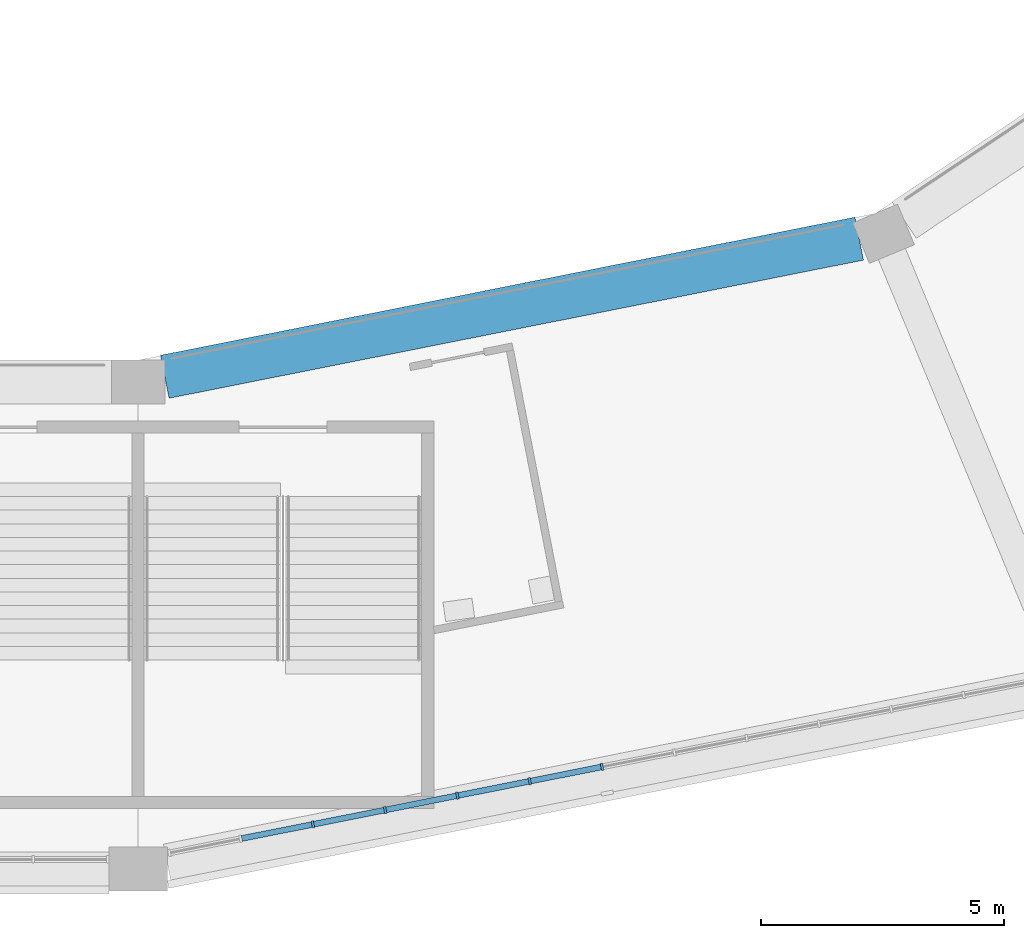
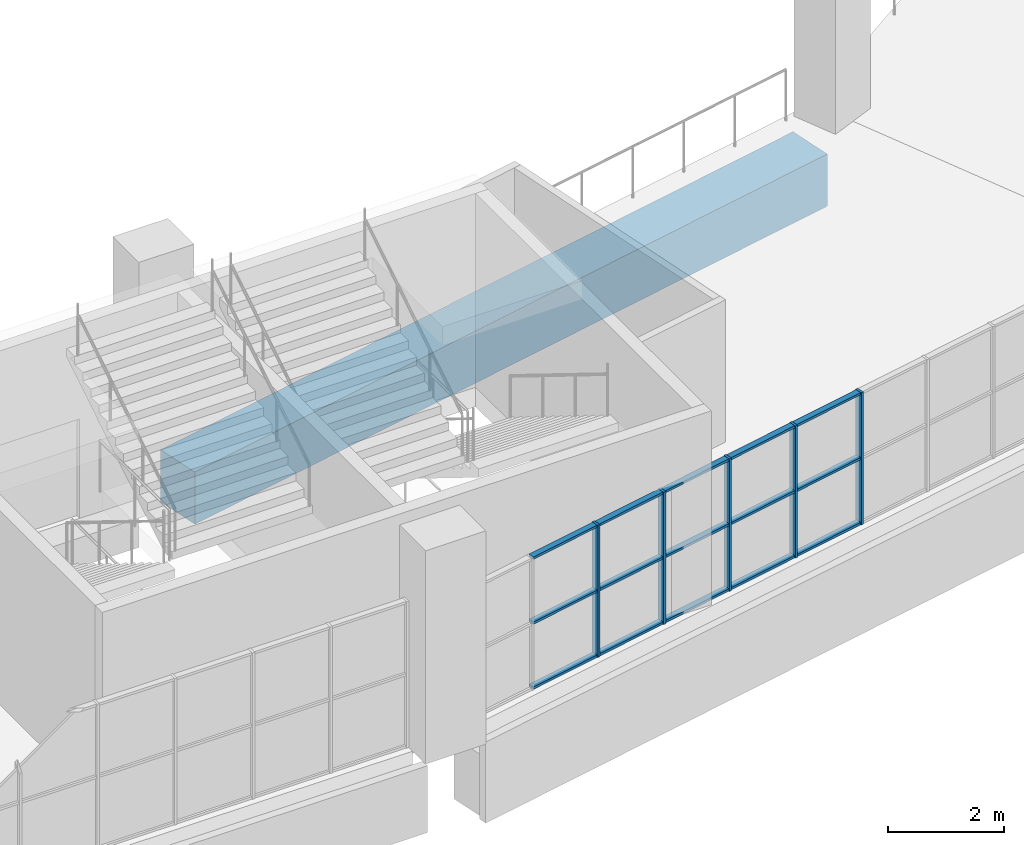
# One storey, part 12 of 177: 20 members, 1 beam, 1 element without a shape of its own.
"""IFC4 building model written with IfcOpenShell, lengths in metres."""

from ifc_helpers import new_model, si_unit, direction, frame, origin, origin_2d, place, context, subcontext, project, spatial, rectangle, extrude, material, material_profile, profile_set, type_object, element, aggregate, save


model = new_model("IFC4")

# Units and contexts
model_context = context("Model", 3, precision=1e-05, world=origin(), true_north=direction((0.0, 1.0)))
body_context = subcontext(model_context, "Body", "Model", "MODEL_VIEW")
ifc_project = project(units=[si_unit("LENGTHUNIT", "METRE"), si_unit("AREAUNIT", "SQUARE_METRE"), si_unit("VOLUMEUNIT", "CUBIC_METRE"), si_unit("PLANEANGLEUNIT", "RADIAN"), si_unit("MASSUNIT", "GRAM", prefix="KILO")], contexts=[model_context])

# Site, building, storey
site_placement = place(None, origin())
site = spatial("IfcSite", under=ifc_project, at=site_placement, CompositionType="ELEMENT")
building_placement = place(site_placement, origin())
building = spatial("IfcBuilding", under=site, at=building_placement, Name="Ogive Plaza Stadium", CompositionType="ELEMENT")
storey_placement = place(building_placement, frame((0.0, 0.0, 18.0)))
storey = spatial("IfcBuildingStorey", under=building, at=storey_placement, Name="L04", CompositionType="ELEMENT", Elevation=18.0)

# Curtain wall, members
ifc_material_1 = material(Name="Bronze-anodised aluminium with laminated glass", Category="aluminium")
curtain_wall_type = type_object("IfcCurtainWallType", Name="Lancet curtain wall", PredefinedType="NOTDEFINED", material=ifc_material_1)
curtain_wall_placement = place(storey_placement, origin())
curtain_wall = element("IfcCurtainWall", 1, at=curtain_wall_placement, inside=storey, type_object=curtain_wall_type, Name="CURTAIN WALL B11 L04", PredefinedType="NOTDEFINED")
ifc_material_2 = material(Name="Bronze-anodised aluminium", Category="aluminium")
ifc_material_profile_1 = material_profile(ifc_material_2, rectangle(XDim=0.14990234375, YDim=0.050048828125, at=origin_2d()), Name="AL 150x50")
ifc_profile_set_1 = profile_set([ifc_material_profile_1], Name="Bronze-anodised aluminium")
member_type_1 = type_object("IfcMemberType", Name="Curtain wall mullion 50x150", PredefinedType="MULLION", material=ifc_profile_set_1)
member_1_placement = place(storey_placement, frame((43.528076171875, -100.40087890625, 0.0), z_axis=(0.0, 0.0, 1.0), x_axis=(0.195090322016, -0.980785280403, 0.0)))
member_1 = element("IfcMember", 2, at=member_1_placement, type_object=member_type_1, Name="CW-B11-L04 mullion 7", PredefinedType="MULLION", context=body_context, shape_type="SweptSolid", body=[
    extrude(rectangle(XDim=0.14990234375, YDim=0.050048828125, at=origin_2d()), origin(), (0.0, 0.0, 1.0), 2.7900390625),
])
member_2_placement = place(storey_placement, frame((42.043212890625, -100.6962890625, 0.0), z_axis=(0.0, 0.0, 1.0), x_axis=(0.195090322016, -0.980785280403, 0.0)))
member_2 = element("IfcMember", 3, at=member_2_placement, type_object=member_type_1, Name="CW-B11-L04 mullion 8", PredefinedType="MULLION", context=body_context, shape_type="SweptSolid", body=[
    extrude(rectangle(XDim=0.14990234375, YDim=0.050048828125, at=origin_2d()), origin(), (0.0, 0.0, 1.0), 2.7900390625),
])
member_3_placement = place(storey_placement, frame((40.55859375, -100.991455078125, 0.0), z_axis=(0.0, 0.0, 1.0), x_axis=(0.195090322016, -0.980785280403, 0.0)))
member_3 = element("IfcMember", 4, at=member_3_placement, type_object=member_type_1, Name="CW-B11-L04 mullion 9", PredefinedType="MULLION", context=body_context, shape_type="SweptSolid", body=[
    extrude(rectangle(XDim=0.14990234375, YDim=0.050048828125, at=origin_2d()), origin(), (0.0, 0.0, 1.0), 2.7900390625),
])
member_4_placement = place(storey_placement, frame((39.07373046875, -101.286865234375, 0.0), z_axis=(0.0, 0.0, 1.0), x_axis=(0.195090322016, -0.980785280403, 0.0)))
member_4 = element("IfcMember", 5, at=member_4_placement, type_object=member_type_1, Name="CW-B11-L04 mullion 10", PredefinedType="MULLION", context=body_context, shape_type="SweptSolid", body=[
    extrude(rectangle(XDim=0.14990234375, YDim=0.050048828125, at=origin_2d()), origin(), (0.0, 0.0, 1.0), 2.7900390625),
])
member_5_placement = place(storey_placement, frame((37.589111328125, -101.582275390625, 0.0), z_axis=(0.0, 0.0, 1.0), x_axis=(0.195090322016, -0.980785280403, 0.0)))
member_5 = element("IfcMember", 6, at=member_5_placement, type_object=member_type_1, Name="CW-B11-L04 mullion 11", PredefinedType="MULLION", context=body_context, shape_type="SweptSolid", body=[
    extrude(rectangle(XDim=0.14990234375, YDim=0.050048828125, at=origin_2d()), origin(), (0.0, 0.0, 1.0), 2.7900390625),
])
ifc_material_3 = material(Name="Bronze-anodised aluminium", Category="aluminium")
ifc_material_profile_2 = material_profile(ifc_material_3, rectangle(XDim=0.1201171875, YDim=0.050048828125, at=origin_2d()), Name="AL 120x50")
ifc_profile_set_2 = profile_set([ifc_material_profile_2], Name="Bronze-anodised aluminium")
member_type_2 = type_object("IfcMemberType", Name="Curtain wall transom 50x120", PredefinedType="USERDEFINED", material=ifc_profile_set_2)
member_6_placement = place(storey_placement, frame((43.503662109375, -100.40576171875, 0.02490234375), z_axis=(-0.980779013771, -0.195121823859, 0.0), x_axis=(0.195121823859, -0.980779013771, 0.0)))
member_6 = element("IfcMember", 7, at=member_6_placement, type_object=member_type_2, Name="CW-B11-L04 transom 7.1", ObjectType="TRANSOM", PredefinedType="USERDEFINED", context=body_context, shape_type="SweptSolid", body=[
    extrude(rectangle(XDim=0.1201171875, YDim=0.050048828125, at=origin_2d()), origin(), (0.0, 0.0, 1.0), 1.4638671875),
])
member_7_placement = place(storey_placement, frame((43.503662109375, -100.40576171875, 1.39501953125), z_axis=(-0.980779013771, -0.195121823859, 0.0), x_axis=(0.195121823859, -0.980779013771, 0.0)))
member_7 = element("IfcMember", 8, at=member_7_placement, type_object=member_type_2, Name="CW-B11-L04 transom 7.2", ObjectType="TRANSOM", PredefinedType="USERDEFINED", context=body_context, shape_type="SweptSolid", body=[
    extrude(rectangle(XDim=0.1201171875, YDim=0.050048828125, at=origin_2d()), origin(), (0.0, 0.0, 1.0), 1.4638671875),
])
member_8_placement = place(storey_placement, frame((43.503662109375, -100.40576171875, 2.764892578125), z_axis=(-0.980779013771, -0.195121823859, 0.0), x_axis=(0.195121823859, -0.980779013771, 0.0)))
member_8 = element("IfcMember", 9, at=member_8_placement, type_object=member_type_2, Name="CW-B11-L04 transom 7.3", ObjectType="TRANSOM", PredefinedType="USERDEFINED", context=body_context, shape_type="SweptSolid", body=[
    extrude(rectangle(XDim=0.1201171875, YDim=0.050048828125, at=origin_2d()), origin(), (0.0, 0.0, 1.0), 1.4638671875),
])
member_9_placement = place(storey_placement, frame((42.018798828125, -100.700927734375, 0.02490234375), z_axis=(-0.980779013771, -0.195121823859, 0.0), x_axis=(0.195121823859, -0.980779013771, 0.0)))
member_9 = element("IfcMember", 10, at=member_9_placement, type_object=member_type_2, Name="CW-B11-L04 transom 8.1", ObjectType="TRANSOM", PredefinedType="USERDEFINED", context=body_context, shape_type="SweptSolid", body=[
    extrude(rectangle(XDim=0.1201171875, YDim=0.050048828125, at=origin_2d()), origin(), (0.0, 0.0, 1.0), 1.4638671875),
])
member_10_placement = place(storey_placement, frame((42.018798828125, -100.700927734375, 1.39501953125), z_axis=(-0.980779013771, -0.195121823859, 0.0), x_axis=(0.195121823859, -0.980779013771, 0.0)))
member_10 = element("IfcMember", 11, at=member_10_placement, type_object=member_type_2, Name="CW-B11-L04 transom 8.2", ObjectType="TRANSOM", PredefinedType="USERDEFINED", context=body_context, shape_type="SweptSolid", body=[
    extrude(rectangle(XDim=0.1201171875, YDim=0.050048828125, at=origin_2d()), origin(), (0.0, 0.0, 1.0), 1.4638671875),
])
member_11_placement = place(storey_placement, frame((42.018798828125, -100.700927734375, 2.764892578125), z_axis=(-0.980779013771, -0.195121823859, 0.0), x_axis=(0.195121823859, -0.980779013771, 0.0)))
member_11 = element("IfcMember", 12, at=member_11_placement, type_object=member_type_2, Name="CW-B11-L04 transom 8.3", ObjectType="TRANSOM", PredefinedType="USERDEFINED", context=body_context, shape_type="SweptSolid", body=[
    extrude(rectangle(XDim=0.1201171875, YDim=0.050048828125, at=origin_2d()), origin(), (0.0, 0.0, 1.0), 1.4638671875),
])
member_12_placement = place(storey_placement, frame((40.533935546875, -100.996337890625, 0.02490234375), z_axis=(-0.980772662828, -0.195153744134, 0.0), x_axis=(0.195153744134, -0.980772662828, 0.0)))
member_12 = element("IfcMember", 13, at=member_12_placement, type_object=member_type_2, Name="CW-B11-L04 transom 9.1", ObjectType="TRANSOM", PredefinedType="USERDEFINED", context=body_context, shape_type="SweptSolid", body=[
    extrude(rectangle(XDim=0.1201171875, YDim=0.050048828125, at=origin_2d()), origin(), (0.0, 0.0, 1.0), 1.463623046875),
])
member_13_placement = place(storey_placement, frame((40.533935546875, -100.996337890625, 1.39501953125), z_axis=(-0.980772662828, -0.195153744134, 0.0), x_axis=(0.195153744134, -0.980772662828, 0.0)))
member_13 = element("IfcMember", 14, at=member_13_placement, type_object=member_type_2, Name="CW-B11-L04 transom 9.2", ObjectType="TRANSOM", PredefinedType="USERDEFINED", context=body_context, shape_type="SweptSolid", body=[
    extrude(rectangle(XDim=0.1201171875, YDim=0.050048828125, at=origin_2d()), origin(), (0.0, 0.0, 1.0), 1.463623046875),
])
member_14_placement = place(storey_placement, frame((40.533935546875, -100.996337890625, 2.764892578125), z_axis=(-0.980772662828, -0.195153744134, 0.0), x_axis=(0.195153744134, -0.980772662828, 0.0)))
member_14 = element("IfcMember", 15, at=member_14_placement, type_object=member_type_2, Name="CW-B11-L04 transom 9.3", ObjectType="TRANSOM", PredefinedType="USERDEFINED", context=body_context, shape_type="SweptSolid", body=[
    extrude(rectangle(XDim=0.1201171875, YDim=0.050048828125, at=origin_2d()), origin(), (0.0, 0.0, 1.0), 1.463623046875),
])
member_15_placement = place(storey_placement, frame((39.04931640625, -101.291748046875, 0.02490234375), z_axis=(-0.980779013771, -0.195121823859, 0.0), x_axis=(0.195121823859, -0.980779013771, 0.0)))
member_15 = element("IfcMember", 16, at=member_15_placement, type_object=member_type_2, Name="CW-B11-L04 transom 10.1", ObjectType="TRANSOM", PredefinedType="USERDEFINED", context=body_context, shape_type="SweptSolid", body=[
    extrude(rectangle(XDim=0.1201171875, YDim=0.050048828125, at=origin_2d()), origin(), (0.0, 0.0, 1.0), 1.4638671875),
])
member_16_placement = place(storey_placement, frame((39.04931640625, -101.291748046875, 1.39501953125), z_axis=(-0.980779013771, -0.195121823859, 0.0), x_axis=(0.195121823859, -0.980779013771, 0.0)))
member_16 = element("IfcMember", 17, at=member_16_placement, type_object=member_type_2, Name="CW-B11-L04 transom 10.2", ObjectType="TRANSOM", PredefinedType="USERDEFINED", context=body_context, shape_type="SweptSolid", body=[
    extrude(rectangle(XDim=0.1201171875, YDim=0.050048828125, at=origin_2d()), origin(), (0.0, 0.0, 1.0), 1.4638671875),
])
member_17_placement = place(storey_placement, frame((39.04931640625, -101.291748046875, 2.764892578125), z_axis=(-0.980779013771, -0.195121823859, 0.0), x_axis=(0.195121823859, -0.980779013771, 0.0)))
member_17 = element("IfcMember", 18, at=member_17_placement, type_object=member_type_2, Name="CW-B11-L04 transom 10.3", ObjectType="TRANSOM", PredefinedType="USERDEFINED", context=body_context, shape_type="SweptSolid", body=[
    extrude(rectangle(XDim=0.1201171875, YDim=0.050048828125, at=origin_2d()), origin(), (0.0, 0.0, 1.0), 1.4638671875),
])
member_18_placement = place(storey_placement, frame((37.564453125, -101.587158203125, 0.02490234375), z_axis=(-0.980804576136, -0.194993290732, 0.0), x_axis=(0.194993290732, -0.980804576136, 0.0)))
member_18 = element("IfcMember", 19, at=member_18_placement, type_object=member_type_2, Name="CW-B11-L04 transom 11.1", ObjectType="TRANSOM", PredefinedType="USERDEFINED", context=body_context, shape_type="SweptSolid", body=[
    extrude(rectangle(XDim=0.1201171875, YDim=0.050048828125, at=origin_2d()), origin(), (0.0, 0.0, 1.0), 1.463623046875),
])
member_19_placement = place(storey_placement, frame((37.564453125, -101.587158203125, 1.39501953125), z_axis=(-0.980804576136, -0.194993290732, 0.0), x_axis=(0.194993290732, -0.980804576136, 0.0)))
member_19 = element("IfcMember", 20, at=member_19_placement, type_object=member_type_2, Name="CW-B11-L04 transom 11.2", ObjectType="TRANSOM", PredefinedType="USERDEFINED", context=body_context, shape_type="SweptSolid", body=[
    extrude(rectangle(XDim=0.1201171875, YDim=0.050048828125, at=origin_2d()), origin(), (0.0, 0.0, 1.0), 1.463623046875),
])
member_20_placement = place(storey_placement, frame((37.564453125, -101.587158203125, 2.764892578125), z_axis=(-0.980804576136, -0.194993290732, 0.0), x_axis=(0.194993290732, -0.980804576136, 0.0)))
member_20 = element("IfcMember", 21, at=member_20_placement, type_object=member_type_2, Name="CW-B11-L04 transom 11.3", ObjectType="TRANSOM", PredefinedType="USERDEFINED", context=body_context, shape_type="SweptSolid", body=[
    extrude(rectangle(XDim=0.1201171875, YDim=0.050048828125, at=origin_2d()), origin(), (0.0, 0.0, 1.0), 1.463623046875),
])
aggregate(curtain_wall, [member_1, member_2, member_3, member_4, member_5, member_6, member_7, member_8, member_9, member_10, member_11, member_12, member_13, member_14, member_15, member_16, member_17, member_18, member_19, member_20])

# Beam
ifc_material_4 = material(Name="Concrete C40/50", Category="concrete")
ifc_material_profile_3 = material_profile(ifc_material_4, rectangle(XDim=0.89990234375, YDim=1.10009765625, at=origin_2d()), Name="RC 900x1100")
ifc_profile_set_3 = profile_set([ifc_material_profile_3], Name="Concrete C40/50")
beam_type = type_object("IfcBeamType", Name="RC ring beam 900x1100", PredefinedType="BEAM", material=ifc_profile_set_3)
beam_placement = place(storey_placement, frame((48.807373046875, -89.5546875, -0.9599609375), z_axis=(-0.980785551724, -0.195088957992, 0.0), x_axis=(0.195088957992, -0.980785551724, 0.0)))
element("IfcBeam", 22, at=beam_placement, inside=storey, type_object=beam_type, Name="Ring beam F4 L04 B11", PredefinedType="BEAM", context=body_context, shape_type="SweptSolid", body=[
    extrude(rectangle(XDim=0.89990234375, YDim=1.10009765625, at=origin_2d()), origin(), (0.0, 0.0, 1.0), 14.53662109375),
])

save(model, "model.ifc")
